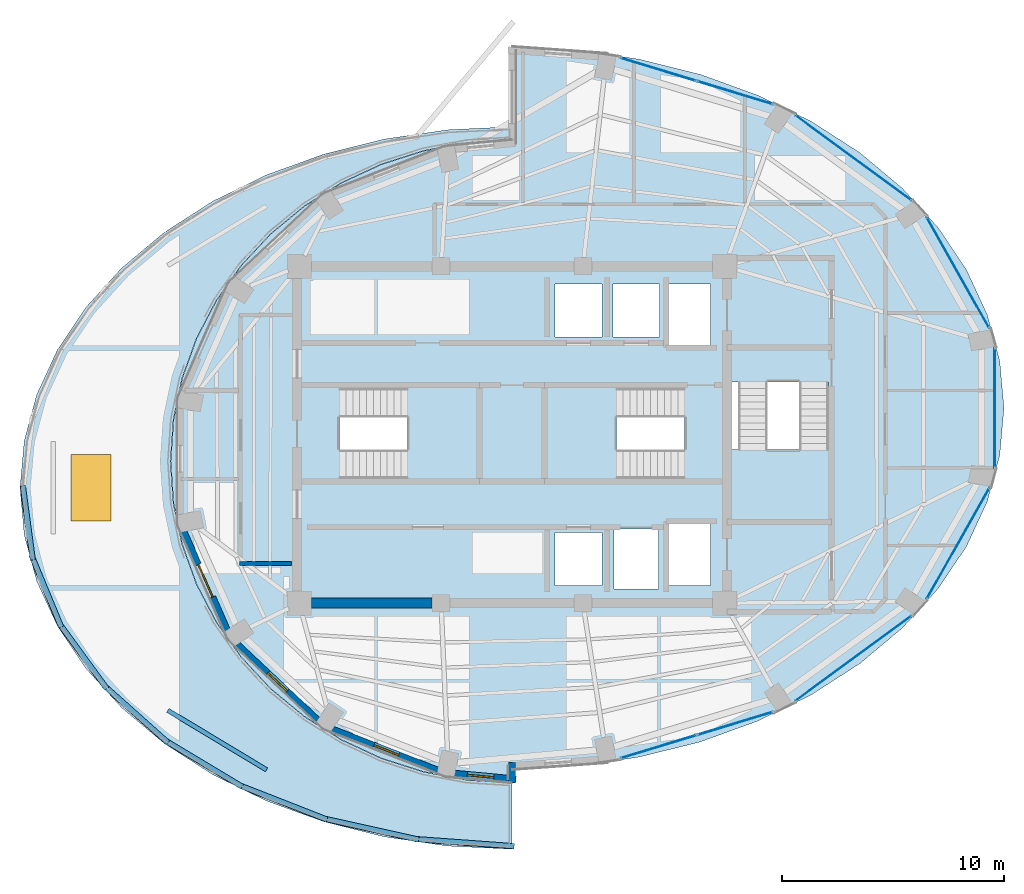
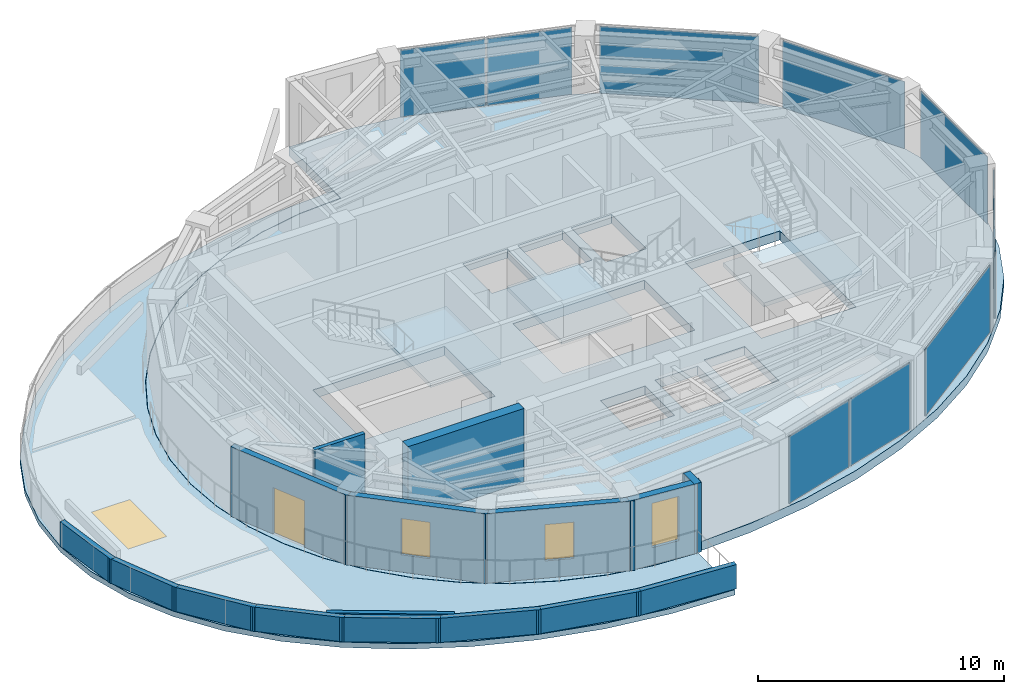
# One storey, part 8 of 15: 16 walls, 9 plates, 5 slabs, 4 windows, 1 door, 5 openings, 10 elements without a shape of their own.
"""IFC4 building model written with IfcOpenShell, lengths in metres."""

from ifc_helpers import new_model, si_unit, direction, frame, frame_2d, origin, origin_2d, place, context, subcontext, project, spatial, polyline, rectangle, outline, extrude, material, layer, layer_set, type_object, element, fill, aggregate, save


model = new_model("IFC4")

# Units and contexts
model_context = context("Model", 3, precision=1e-05, world=origin(), true_north=direction((0.0, 1.0)))
body_context = subcontext(model_context, "Body", "Model", "MODEL_VIEW")
ifc_project = project(units=[si_unit("LENGTHUNIT", "METRE"), si_unit("AREAUNIT", "SQUARE_METRE"), si_unit("VOLUMEUNIT", "CUBIC_METRE"), si_unit("PLANEANGLEUNIT", "RADIAN"), si_unit("MASSUNIT", "GRAM", prefix="KILO")], contexts=[model_context])

# Site, building, storey
site_placement = place(None, origin())
site = spatial("IfcSite", under=ifc_project, at=site_placement, CompositionType="ELEMENT")
building_placement = place(site_placement, origin())
building = spatial("IfcBuilding", under=site, at=building_placement, Name="Lazwardi Medical Tower", CompositionType="ELEMENT")
storey_placement = place(building_placement, frame((0.0, 0.0, 269.615966796875)))
storey = spatial("IfcBuildingStorey", under=building, at=storey_placement, Name="L70", CompositionType="ELEMENT", Elevation=269.615966796875)

# Curtain wall, plates
ifc_material_1 = material(Name="Anodised bronze aluminium and solar control glazing", Category="aluminium")
ifc_layer_1 = layer(ifc_material_1, 0.18994140625)
ifc_layer_set_1 = layer_set([ifc_layer_1], Name="Anodised bronze aluminium and solar control glazing")
curtain_wall_type = type_object("IfcCurtainWallType", Name="CW-SYS-04", PredefinedType="NOTDEFINED", material=ifc_layer_set_1)
curtain_wall_1_placement = place(storey_placement, origin())
curtain_wall_1 = element("IfcCurtainWall", 1, at=curtain_wall_1_placement, inside=storey, type_object=curtain_wall_type, Name="L70 Unitised bronze curtain wall CW-04", PredefinedType="NOTDEFINED")
ifc_material_2 = material(Name="Low-e bronze solar control double glazing", Category="glass")
ifc_layer_2 = layer(ifc_material_2, 0.035888671875)
ifc_layer_set_2 = layer_set([ifc_layer_2], Name="Low-e bronze solar control double glazing")
plate_type = type_object("IfcPlateType", Name="PLT-GLZ-01", PredefinedType="CURTAIN_PANEL", material=ifc_layer_set_2)
plate_1_placement = place(storey_placement, frame((42.604736328125, 13.918701171875, 0.06494140625), z_axis=(0.0, 0.0, 1.0), x_axis=(0.956850126972, 0.290581889515, 0.0)))
plate_1 = element("IfcPlate", 2, at=plate_1_placement, type_object=plate_type, Name="CW-04 panel 1.1", PredefinedType="CURTAIN_PANEL", context=body_context, shape_type="SweptSolid", body=[
    extrude(rectangle(XDim=3.554443359375, YDim=0.035888671875, at=origin_2d()), origin(), (0.0, 0.0, 1.0), 3.318115234375),
])
plate_2_placement = place(storey_placement, frame((46.068115234375, 14.970458984375, 0.06494140625), z_axis=(0.0, 0.0, 1.0), x_axis=(0.956850126972, 0.290581889515, 0.0)))
plate_2 = element("IfcPlate", 3, at=plate_2_placement, type_object=plate_type, Name="CW-04 panel 2.1", PredefinedType="CURTAIN_PANEL", context=body_context, shape_type="SweptSolid", body=[
    extrude(rectangle(XDim=3.554443359375, YDim=0.035888671875, at=origin_2d()), origin(), (0.0, 0.0, 1.0), 3.318115234375),
])
aggregate(curtain_wall_1, [plate_1, plate_2])

# Curtain wall, plate
curtain_wall_2_placement = place(storey_placement, origin())
curtain_wall_2 = element("IfcCurtainWall", 4, at=curtain_wall_2_placement, inside=storey, type_object=curtain_wall_type, Name="L70 Unitised bronze curtain wall CW-04", PredefinedType="NOTDEFINED")
plate_3_placement = place(storey_placement, frame((51.403564453125, 17.90673828125, 0.06494140625), z_axis=(0.0, 0.0, 1.0), x_axis=(0.806474971121, 0.591268230971, 0.0)))
plate_3 = element("IfcPlate", 5, at=plate_3_placement, type_object=plate_type, Name="CW-04 panel 1.1", PredefinedType="CURTAIN_PANEL", context=body_context, shape_type="SweptSolid", body=[
    extrude(rectangle(XDim=6.502685546875, YDim=0.035888671875, at=origin_2d()), origin(), (0.0, 0.0, 1.0), 3.318115234375),
])
aggregate(curtain_wall_2, [plate_3])

curtain_wall_3_placement = place(storey_placement, origin())
curtain_wall_3 = element("IfcCurtainWall", 6, at=curtain_wall_3_placement, inside=storey, type_object=curtain_wall_type, Name="L70 Unitised bronze curtain wall CW-04", PredefinedType="NOTDEFINED")
plate_4_placement = place(storey_placement, frame((56.125732421875, 23.088134765625, 0.06494140625), z_axis=(0.0, 0.0, 1.0), x_axis=(0.491900474661, 0.870651436011, 0.0)))
plate_4 = element("IfcPlate", 7, at=plate_4_placement, type_object=plate_type, Name="CW-04 panel 1.1", PredefinedType="CURTAIN_PANEL", context=body_context, shape_type="SweptSolid", body=[
    extrude(rectangle(XDim=5.755126953125, YDim=0.035888671875, at=origin_2d()), origin(), (0.0, 0.0, 1.0), 3.318115234375),
])
aggregate(curtain_wall_3, [plate_4])

curtain_wall_4_placement = place(storey_placement, origin())
curtain_wall_4 = element("IfcCurtainWall", 8, at=curtain_wall_4_placement, inside=storey, type_object=curtain_wall_type, Name="L70 Unitised bronze curtain wall CW-04", PredefinedType="NOTDEFINED")
plate_5_placement = place(storey_placement, frame((57.7841796875, 29.199951171875, 0.06494140625), z_axis=(0.0, 0.0, 1.0), x_axis=(0.0, 1.0, 0.0)))
plate_5 = element("IfcPlate", 9, at=plate_5_placement, type_object=plate_type, Name="CW-04 panel 1.1", PredefinedType="CURTAIN_PANEL", context=body_context, shape_type="SweptSolid", body=[
    extrude(rectangle(XDim=5.416015625, YDim=0.035888671875, at=origin_2d()), origin(), (0.0, 0.0, 1.0), 3.318115234375),
])
aggregate(curtain_wall_4, [plate_5])

curtain_wall_5_placement = place(storey_placement, origin())
curtain_wall_5 = element("IfcCurtainWall", 10, at=curtain_wall_5_placement, inside=storey, type_object=curtain_wall_type, Name="L70 Unitised bronze curtain wall CW-04", PredefinedType="NOTDEFINED")
plate_6_placement = place(storey_placement, frame((56.125732421875, 35.311767578125, 0.06494140625), z_axis=(0.0, 0.0, 1.0), x_axis=(-0.491900474661, 0.870651436011, 0.0)))
plate_6 = element("IfcPlate", 11, at=plate_6_placement, type_object=plate_type, Name="CW-04 panel 1.1", PredefinedType="CURTAIN_PANEL", context=body_context, shape_type="SweptSolid", body=[
    extrude(rectangle(XDim=5.755126953125, YDim=0.035888671875, at=origin_2d()), origin(), (0.0, 0.0, 1.0), 3.318115234375),
])
aggregate(curtain_wall_5, [plate_6])

curtain_wall_6_placement = place(storey_placement, origin())
curtain_wall_6 = element("IfcCurtainWall", 12, at=curtain_wall_6_placement, inside=storey, type_object=curtain_wall_type, Name="L70 Unitised bronze curtain wall CW-04", PredefinedType="NOTDEFINED")
plate_7_placement = place(storey_placement, frame((51.403564453125, 40.4931640625, 0.06494140625), z_axis=(0.0, 0.0, 1.0), x_axis=(-0.806474971121, 0.591268230971, 0.0)))
plate_7 = element("IfcPlate", 13, at=plate_7_placement, type_object=plate_type, Name="CW-04 panel 1.1", PredefinedType="CURTAIN_PANEL", context=body_context, shape_type="SweptSolid", body=[
    extrude(rectangle(XDim=6.502685546875, YDim=0.035888671875, at=origin_2d()), origin(), (0.0, 0.0, 1.0), 3.318115234375),
])
aggregate(curtain_wall_6, [plate_7])

# Curtain wall, plates
curtain_wall_7_placement = place(storey_placement, origin())
curtain_wall_7 = element("IfcCurtainWall", 14, at=curtain_wall_7_placement, inside=storey, type_object=curtain_wall_type, Name="L70 Unitised bronze curtain wall CW-04", PredefinedType="NOTDEFINED")
plate_8_placement = place(storey_placement, frame((46.068115234375, 43.429443359375, 0.06494140625), z_axis=(0.0, 0.0, 1.0), x_axis=(-0.956850126972, 0.290581889515, 0.0)))
plate_8 = element("IfcPlate", 15, at=plate_8_placement, type_object=plate_type, Name="CW-04 panel 1.1", PredefinedType="CURTAIN_PANEL", context=body_context, shape_type="SweptSolid", body=[
    extrude(rectangle(XDim=3.554443359375, YDim=0.035888671875, at=origin_2d()), origin(), (0.0, 0.0, 1.0), 3.318115234375),
])
plate_9_placement = place(storey_placement, frame((42.604736328125, 44.481201171875, 0.06494140625), z_axis=(0.0, 0.0, 1.0), x_axis=(-0.956850126972, 0.290581889515, 0.0)))
plate_9 = element("IfcPlate", 16, at=plate_9_placement, type_object=plate_type, Name="CW-04 panel 2.1", PredefinedType="CURTAIN_PANEL", context=body_context, shape_type="SweptSolid", body=[
    extrude(rectangle(XDim=3.554443359375, YDim=0.035888671875, at=origin_2d()), origin(), (0.0, 0.0, 1.0), 3.318115234375),
])
aggregate(curtain_wall_7, [plate_8, plate_9])

# Stair, slab
ifc_material_3 = material(Name="Concrete C45/55", Category="concrete")
stair_type = type_object("IfcStairType", Name="STR-WRD", PredefinedType="HALF_TURN_STAIR", material=ifc_material_3)
stair_1_placement = place(storey_placement, origin())
stair_1 = element("IfcStair", 17, at=stair_1_placement, inside=storey, type_object=stair_type, Name="L70 Protected Exit Stair ST1", PredefinedType="HALF_TURN_STAIR")
ifc_layer_3 = layer(ifc_material_3, 0.199951171875)
ifc_layer_set_3 = layer_set([ifc_layer_3], Name="Concrete C45/55")
slab_type_1 = type_object("IfcSlabType", Name="SLB-LND-190", PredefinedType="LANDING", material=ifc_layer_set_3)
slab_1_placement = place(storey_placement, frame((0.0, 0.0, 1.6240234375)))
slab_1 = element("IfcSlab", 18, at=slab_1_placement, type_object=slab_type_1, Name="ST1 landing 1", PredefinedType="LANDING", context=body_context, shape_type="SweptSolid", body=[
    extrude(outline(polyline([(31.27490234375, 25.840087890625), (34.580078125, 25.840087890625), (34.580078125, 30.280029296875), (31.27490234375, 30.280029296875), (31.27490234375, 25.840087890625)])), origin(), (0.0, 0.0, 1.0), 0.199951171875),
])
aggregate(stair_1, [slab_1])

stair_2_placement = place(storey_placement, origin())
stair_2 = element("IfcStair", 19, at=stair_2_placement, inside=storey, type_object=stair_type, Name="L70 Protected Exit Stair ST2", PredefinedType="HALF_TURN_STAIR")
slab_2_placement = place(storey_placement, frame((0.0, 0.0, 1.6240234375)))
slab_2 = element("IfcSlab", 20, at=slab_2_placement, type_object=slab_type_1, Name="ST2 landing 1", PredefinedType="LANDING", context=body_context, shape_type="SweptSolid", body=[
    extrude(outline(polyline([(40.72509765625, 30.280029296875), (37.419921875, 30.280029296875), (37.419921875, 25.840087890625), (40.72509765625, 25.840087890625), (40.72509765625, 30.280029296875)])), origin(), (0.0, 0.0, 1.0), 0.199951171875),
])
aggregate(stair_2, [slab_2])

stair_3_placement = place(storey_placement, origin())
stair_3 = element("IfcStair", 21, at=stair_3_placement, inside=storey, type_object=stair_type, Name="L70 Protected Exit Stair ST3", PredefinedType="HALF_TURN_STAIR")
slab_3_placement = place(storey_placement, frame((0.0, 0.0, 1.6240234375)))
slab_3 = element("IfcSlab", 22, at=slab_3_placement, type_object=slab_type_1, Name="ST3 landing 1", PredefinedType="LANDING", context=body_context, shape_type="SweptSolid", body=[
    extrude(outline(polyline([(45.860107421875, 27.324951171875), (45.860107421875, 24.02001953125), (50.4599609375, 24.02001953125), (50.4599609375, 27.324951171875), (45.860107421875, 27.324951171875)])), origin(), (0.0, 0.0, 1.0), 0.199951171875),
])
aggregate(stair_3, [slab_3])

# Slab
ifc_material_4 = material(Name="Concrete C60/75", Category="concrete")
ifc_layer_4 = layer(ifc_material_4, 0.449951171875)
ifc_layer_set_4 = layer_set([ifc_layer_4], Name="Concrete C60/75")
slab_type_2 = type_object("IfcSlabType", Name="SLB-TRN-450", PredefinedType="FLOOR", material=ifc_layer_set_4)
slab_4_placement = place(storey_placement, frame((0.0, 0.0, -0.449951171875)))
element("IfcSlab", 23, at=slab_4_placement, inside=storey, type_object=slab_type_2, Name="Structural floor slab SF-02 L70", PredefinedType="FLOOR", context=body_context, shape_type="SweptSolid", body=[
    extrude(outline(polyline([(23.782470703125, 17.972900390625), (25.110595703125, 16.547119140625), (26.625, 15.29638671875), (28.300048828125, 14.24267578125), (30.106689453125, 13.40380859375), (32.01416015625, 12.794189453125), (33.989990234375, 12.424072265625), (36.0, 12.300048828125), (36.0, 12.89990234375), (38.897705078125, 13.039306640625), (41.745849609375, 13.455322265625), (44.49560546875, 14.140869140625), (47.10009765625, 15.083740234375), (49.514404296875, 16.268310546875), (51.69775390625, 17.67431640625), (53.6123046875, 19.277099609375), (55.225830078125, 21.050048828125), (56.510009765625, 22.96240234375), (57.443603515625, 24.981201171875), (58.010009765625, 27.072509765625), (58.199951171875, 29.199951171875), (58.010009765625, 31.32763671875), (57.443603515625, 33.418701171875), (56.510009765625, 35.437744140625), (55.225830078125, 37.35009765625), (53.6123046875, 39.122802734375), (51.69775390625, 40.725830078125), (49.514404296875, 42.131591796875), (47.10009765625, 43.316162109375), (44.49560546875, 44.25927734375), (41.745849609375, 44.944580078125), (38.897705078125, 45.360595703125), (36.0, 45.5), (36.0, 41.300048828125), (33.989990234375, 41.176025390625), (32.01416015625, 40.805908203125), (30.106689453125, 40.1962890625), (28.300048828125, 39.357421875), (26.625, 38.3037109375), (25.110595703125, 37.052978515625), (23.782470703125, 35.626953125), (22.6630859375, 34.050048828125), (21.772216796875, 32.348876953125), (21.124755859375, 30.552978515625), (20.731689453125, 28.692626953125), (20.60009765625, 26.800048828125), (20.731689453125, 24.907470703125), (21.124755859375, 23.047119140625), (21.772216796875, 21.251220703125), (22.6630859375, 19.550048828125), (23.782470703125, 17.972900390625)]), holes=[polyline([(28.22509765625, 26.02001953125), (28.22509765625, 30.10009765625), (34.39990234375, 30.10009765625), (34.39990234375, 26.02001953125), (28.22509765625, 26.02001953125)]), polyline([(37.60009765625, 30.10009765625), (43.77490234375, 30.10009765625), (43.77490234375, 26.02001953125), (37.60009765625, 26.02001953125), (37.60009765625, 30.10009765625)]), polyline([(50.280029296875, 30.375), (50.280029296875, 24.179931640625), (45.840087890625, 24.179931640625), (45.840087890625, 30.375), (50.280029296875, 30.375)]), polyline([(40.050048828125, 32.39990234375), (37.949951171875, 32.39990234375), (37.949951171875, 34.800048828125), (40.050048828125, 34.800048828125), (40.050048828125, 32.39990234375)]), polyline([(40.550048828125, 32.39990234375), (40.550048828125, 34.800048828125), (42.64990234375, 34.800048828125), (42.64990234375, 32.39990234375), (40.550048828125, 32.39990234375)]), polyline([(37.949951171875, 23.60009765625), (40.050048828125, 23.60009765625), (40.050048828125, 21.199951171875), (37.949951171875, 21.199951171875), (37.949951171875, 23.60009765625)]), polyline([(44.949951171875, 34.800048828125), (44.949951171875, 32.0), (43.050048828125, 32.0), (43.050048828125, 34.800048828125), (44.949951171875, 34.800048828125)]), polyline([(44.949951171875, 21.199951171875), (43.050048828125, 21.199951171875), (43.050048828125, 24.0), (44.949951171875, 24.0), (44.949951171875, 21.199951171875)]), polyline([(40.60009765625, 21.050048828125), (40.60009765625, 23.75), (42.60009765625, 23.75), (42.60009765625, 21.050048828125), (40.60009765625, 21.050048828125)])]), origin(), (0.0, 0.0, 1.0), 0.449951171875),
])

# Slab, opening, window
ifc_material_5 = material(Name="Concrete C50/60", Category="concrete")
ifc_layer_5 = layer(ifc_material_5, 0.27001953125)
ifc_layer_set_5 = layer_set([ifc_layer_5], Name="Concrete C50/60")
slab_type_3 = type_object("IfcSlabType", Name="SLB-WROOF-270", PredefinedType="ROOF", material=ifc_layer_set_5)
slab_5_placement = place(storey_placement, frame((0.0, 0.0, -0.27001953125)))
slab_5 = element("IfcSlab", 24, at=slab_5_placement, inside=storey, type_object=slab_type_3, Name="L70 West Half-Drum Planted Roof Terrace Slab", PredefinedType="ROOF", context=body_context, shape_type="SweptSolid", body=[
    extrude(outline(polyline([(36.0, 12.2900390625), (35.99951171875, 12.2900390625), (33.9892578125, 12.4140625), (33.988037109375, 12.414306640625), (32.012451171875, 12.7841796875), (32.01123046875, 12.78466796875), (30.103759765625, 13.394287109375), (30.1025390625, 13.39453125), (28.2958984375, 14.2333984375), (28.294677734375, 14.234130859375), (26.619873046875, 15.287841796875), (26.61865234375, 15.288818359375), (25.104248046875, 16.539306640625), (25.103271484375, 16.540283203125), (23.775146484375, 17.96630859375), (23.774169921875, 17.96728515625), (22.655029296875, 19.544189453125), (22.654296875, 19.54541015625), (21.763427734375, 21.24658203125), (21.762939453125, 21.247802734375), (21.115234375, 23.043701171875), (21.114990234375, 23.044921875), (20.721923828125, 24.9052734375), (20.7216796875, 24.90673828125), (20.590087890625, 26.79931640625), (20.590087890625, 26.80078125), (20.7216796875, 28.693359375), (20.721923828125, 28.694580078125), (21.114990234375, 30.554931640625), (21.115234375, 30.556396484375), (21.762939453125, 32.352294921875), (21.763427734375, 32.353515625), (22.654296875, 34.0546875), (22.655029296875, 34.055908203125), (23.774169921875, 35.6328125), (23.775146484375, 35.6337890625), (25.103271484375, 37.059814453125), (25.104248046875, 37.060791015625), (26.61865234375, 38.311279296875), (26.619873046875, 38.31201171875), (28.294677734375, 39.365966796875), (28.2958984375, 39.366455078125), (30.1025390625, 40.205322265625), (30.103759765625, 40.205810546875), (32.01123046875, 40.8154296875), (32.012451171875, 40.815673828125), (33.988037109375, 41.185791015625), (33.9892578125, 41.18603515625), (35.989990234375, 41.309326171875), (35.989990234375, 41.8994140625), (33.102294921875, 41.760498046875), (30.254150390625, 41.344482421875), (27.50439453125, 40.6591796875), (24.89990234375, 39.71630859375), (22.485595703125, 38.53173828125), (20.30224609375, 37.125732421875), (18.3876953125, 35.522705078125), (16.774169921875, 33.75), (15.489990234375, 31.837646484375), (14.556396484375, 29.81884765625), (13.989990234375, 27.7275390625), (13.800048828125, 25.60009765625), (13.989990234375, 23.472412109375), (14.556396484375, 21.381103515625), (15.489990234375, 19.3623046875), (16.774169921875, 17.449951171875), (18.3876953125, 15.67724609375), (20.30224609375, 14.07421875), (22.485595703125, 12.668212890625), (24.89990234375, 11.48388671875), (27.50439453125, 10.540771484375), (30.254150390625, 9.85546875), (33.102294921875, 9.439453125), (36.0, 9.300048828125), (36.0, 12.2900390625)])), origin(), (0.0, 0.0, 1.0), 0.27001953125),
])
opening_1_placement = place(slab_5_placement, frame((17.0, 25.60009765625, 0.0)))
opening_1 = element("IfcOpeningElement", 25, at=opening_1_placement, cuts=slab_5, Name="Opening SK-02", PredefinedType="OPENING", context=body_context, shape_type="SweptSolid", body=[
    extrude(rectangle(XDim=1.800048828125, YDim=3.0, at=origin_2d()), origin(), (0.0, 0.0, 1.0), 0.27001953125),
])
ifc_material_6 = material(Name="Laminated solar-control safety skylight glazing", Category="glass")
window_type_1 = type_object("IfcWindowType", Name="WIN-SKY-1800", PartitioningType="SINGLE_PANEL", PredefinedType="SKYLIGHT", material=ifc_material_6)
window_1_placement = place(opening_1_placement, frame((0.0, 0.0, 0.219970703125)))
window_1 = element("IfcWindow", 26, at=window_1_placement, inside=storey, type_object=window_type_1, Name="L70 West Terrace Skylight SK-02-2", OverallHeight=3.0, OverallWidth=1.800048828125, PartitioningType="SINGLE_PANEL", PredefinedType="SKYLIGHT", context=body_context, shape_type="SweptSolid", body=[
    extrude(rectangle(XDim=1.800048828125, YDim=3.0, at=origin_2d()), origin(), (0.0, 0.0, 1.0), 0.050048828125),
])
fill(opening_1, window_1)

# Walls
ifc_material_7 = material(Name="Fire-rated gypsum board on steel stud", Category="steel")
ifc_layer_6 = layer(ifc_material_7, 0.179931640625)
ifc_layer_set_6 = layer_set([ifc_layer_6], Name="Fire-rated gypsum board on steel stud")
wall_type_1 = type_object("IfcWallType", Name="WL-COR-180", PredefinedType="PARTITIONING", material=ifc_layer_set_6)
wall_1_placement = place(storey_placement, frame((26.06005859375, 22.199951171875, 0.0), z_axis=(0.0, 0.0, 1.0), x_axis=(-1.0, 0.0, 0.0)))
element("IfcWall", 27, at=wall_1_placement, inside=storey, type_object=wall_type_1, Name="L70 Corridor partition 7", PredefinedType="PARTITIONING", context=body_context, shape_type="SweptSolid", body=[
    extrude(rectangle(XDim=2.35009765625, YDim=0.179931640625, at=frame_2d((1.175048828125, 0.0))), origin(), (0.0, 0.0, 1.0), 3.447998046875),
])
ifc_layer_7 = layer(ifc_material_4, 0.449951171875)
ifc_layer_set_7 = layer_set([ifc_layer_7], Name="Concrete C60/75")
wall_type_2 = type_object("IfcWallType", Name="WL-CORE-450", PredefinedType="SHEAR", material=ifc_layer_set_7)
wall_2_placement = place(storey_placement, frame((26.949951171875, 20.39990234375, 0.0), z_axis=(0.0, 0.0, 1.0), x_axis=(1.0, 0.0, 0.0)))
element("IfcWall", 28, at=wall_2_placement, inside=storey, type_object=wall_type_2, Name="Core wall CW-S4 S1 L70", PredefinedType="SHEAR", context=body_context, shape_type="SweptSolid", body=[
    extrude(rectangle(XDim=5.449951171875, YDim=0.449951171875, at=frame_2d((2.72509765625, 0.0))), origin(), (0.0, 0.0, 1.0), 3.64794921875),
])

# Wall, opening, door
ifc_material_8 = material(Name="Precast concrete C45/55", Category="concrete")
ifc_layer_8 = layer(ifc_material_8, 0.280029296875)
ifc_layer_set_8 = layer_set([ifc_layer_8], Name="Precast concrete C45/55")
wall_type_3 = type_object("IfcWallType", Name="WL-DRUM-280", PredefinedType="SOLIDWALL", material=ifc_layer_set_8)
wall_3_placement = place(storey_placement, frame((20.992919921875, 24.090087890625, 0.0), z_axis=(0.0, 0.0, 1.0), x_axis=(0.402867150469, -0.91525846572, 0.0)))
wall_3 = element("IfcWall", 29, at=wall_3_placement, inside=storey, type_object=wall_type_3, Name="L70 West Drum Precast Wall 5", PredefinedType="SOLIDWALL", context=body_context, shape_type="SweptSolid", body=[
    extrude(rectangle(XDim=5.85595703125, YDim=0.280029296875, at=frame_2d((2.927978515625, 0.0))), origin(), (0.0, 0.0, 1.0), 3.447998046875),
])
opening_2_placement = place(wall_3_placement, frame((2.1279296875, 0.0, 0.0)))
opening_2 = element("IfcOpeningElement", 30, at=opening_2_placement, cuts=wall_3, Name="Opening D-L70-021", PredefinedType="OPENING", context=body_context, shape_type="SweptSolid", body=[
    extrude(rectangle(XDim=1.60009765625, YDim=2.300048828125, at=frame_2d((0.800048828125, 1.14990234375))), frame((0.0, 0.14990234375, 0.0), z_axis=(0.0, -1.0, 0.0), x_axis=(1.0, 0.0, 0.0)), (0.0, 0.0, 1.0), 0.300048828125),
])
ifc_material_9 = material(Name="Anodised bronze aluminium and laminated glass", Category="aluminium")
door_type = type_object("IfcDoorType", Name="DR-SKG-1600", OperationType="NOTDEFINED", PredefinedType="DOOR", material=ifc_material_9)
door_placement = place(opening_2_placement, origin())
door = element("IfcDoor", 31, at=door_placement, inside=storey, type_object=door_type, Name="L70 West Roof Garden Terrace Door 4", OperationType="DOUBLE_DOOR_SINGLE_SWING", OverallHeight=2.300048828125, OverallWidth=1.60009765625, PredefinedType="DOOR", context=body_context, shape_type="SweptSolid", body=[
    extrude(rectangle(XDim=1.60009765625, YDim=2.300048828125, at=frame_2d((0.800048828125, 1.14990234375))), frame((0.0, 0.02490234375, 0.0), z_axis=(0.0, -1.0, 0.0), x_axis=(1.0, 0.0, 0.0)), (0.0, 0.0, 1.0), 0.050048828125),
])
fill(opening_2, door)

# Wall, opening, window
wall_4_placement = place(storey_placement, frame((23.239013671875, 18.890380859375, 0.0), z_axis=(0.0, 0.0, 1.0), x_axis=(0.728251519923, -0.685309947199, 0.0)))
wall_4 = element("IfcWall", 32, at=wall_4_placement, inside=storey, type_object=wall_type_3, Name="L70 West Drum Precast Wall 6", PredefinedType="SOLIDWALL", context=body_context, shape_type="SweptSolid", body=[
    extrude(rectangle(XDim=5.98095703125, YDim=0.280029296875, at=frame_2d((2.990478515625, 0.0))), origin(), (0.0, 0.0, 1.0), 3.447998046875),
])
opening_3_placement = place(wall_4_placement, frame((2.390625, 0.0, 0.85009765625)))
opening_3 = element("IfcOpeningElement", 33, at=opening_3_placement, cuts=wall_4, Name="Opening WN-04", PredefinedType="OPENING", context=body_context, shape_type="SweptSolid", body=[
    extrude(rectangle(XDim=1.199951171875, YDim=1.800048828125, at=frame_2d((0.60009765625, 0.89990234375))), frame((0.0, 0.14990234375, 0.0), z_axis=(0.0, -1.0, 0.0), x_axis=(1.0, 0.0, 0.0)), (0.0, 0.0, 1.0), 0.300048828125),
])
window_type_2 = type_object("IfcWindowType", Name="WIN-DRUM-1200", PartitioningType="SINGLE_PANEL", PredefinedType="WINDOW", material=ifc_material_2)
window_2_placement = place(opening_3_placement, origin())
window_2 = element("IfcWindow", 34, at=window_2_placement, inside=storey, type_object=window_type_2, Name="L70 West Drum Window 6", OverallHeight=1.800048828125, OverallWidth=1.199951171875, PartitioningType="SINGLE_PANEL", PredefinedType="WINDOW", context=body_context, shape_type="SweptSolid", body=[
    extrude(rectangle(XDim=1.199951171875, YDim=1.800048828125, at=frame_2d((0.60009765625, 0.89990234375))), frame((0.0, 0.030029296875, 0.0), z_axis=(0.0, -1.0, 0.0), x_axis=(1.0, 0.0, 0.0)), (0.0, 0.0, 1.0), 0.06005859375),
])
fill(opening_3, window_2)

wall_5_placement = place(storey_placement, frame((27.4287109375, 14.896484375, 0.0), z_axis=(0.0, 0.0, 1.0), x_axis=(0.931716550814, -0.36318627306, 0.0)))
wall_5 = element("IfcWall", 35, at=wall_5_placement, inside=storey, type_object=wall_type_3, Name="L70 West Drum Precast Wall 7", PredefinedType="SOLIDWALL", context=body_context, shape_type="SweptSolid", body=[
    extrude(rectangle(XDim=6.22412109375, YDim=0.280029296875, at=frame_2d((3.112060546875, 0.0))), origin(), (0.0, 0.0, 1.0), 3.447998046875),
])
opening_4_placement = place(wall_5_placement, frame((2.511962890625, 0.0, 0.85009765625)))
opening_4 = element("IfcOpeningElement", 36, at=opening_4_placement, cuts=wall_5, Name="Opening WN-04", PredefinedType="OPENING", context=body_context, shape_type="SweptSolid", body=[
    extrude(rectangle(XDim=1.199951171875, YDim=1.800048828125, at=frame_2d((0.60009765625, 0.89990234375))), frame((0.0, 0.14990234375, 0.0), z_axis=(0.0, -1.0, 0.0), x_axis=(1.0, 0.0, 0.0)), (0.0, 0.0, 1.0), 0.300048828125),
])
window_3_placement = place(opening_4_placement, origin())
window_3 = element("IfcWindow", 37, at=window_3_placement, inside=storey, type_object=window_type_2, Name="L70 West Drum Window 7", OverallHeight=1.800048828125, OverallWidth=1.199951171875, PartitioningType="SINGLE_PANEL", PredefinedType="WINDOW", context=body_context, shape_type="SweptSolid", body=[
    extrude(rectangle(XDim=1.199951171875, YDim=1.800048828125, at=frame_2d((0.60009765625, 0.89990234375))), frame((0.0, 0.030029296875, 0.0), z_axis=(0.0, -1.0, 0.0), x_axis=(1.0, 0.0, 0.0)), (0.0, 0.0, 1.0), 0.06005859375),
])
fill(opening_4, window_3)

ifc_layer_9 = layer(ifc_material_8, 0.320068359375)
ifc_layer_set_9 = layer_set([ifc_layer_9], Name="Precast concrete C45/55")
wall_type_4 = type_object("IfcWallType", Name="WL-IWAN-320", PredefinedType="SOLIDWALL", material=ifc_layer_set_9)
wall_6_placement = place(storey_placement, frame((32.97705078125, 12.739990234375, 0.0), z_axis=(0.0, 0.0, 1.0), x_axis=(0.995736155144, -0.092247001792, 0.0)))
wall_6 = element("IfcWall", 38, at=wall_6_placement, inside=storey, type_object=wall_type_4, Name="L70 Iwan Portal Return Wall SW_ret", PredefinedType="SOLIDWALL", context=body_context, shape_type="SweptSolid", body=[
    extrude(rectangle(XDim=3.215576171875, YDim=0.320068359375, at=frame_2d((1.60791015625, 0.0))), origin(), (0.0, 0.0, 1.0), 3.447998046875),
])
opening_5_placement = place(wall_6_placement, frame((1.0078125, 0.0, 0.85009765625)))
opening_5 = element("IfcOpeningElement", 39, at=opening_5_placement, cuts=wall_6, Name="Opening WN-01", PredefinedType="OPENING", context=body_context, shape_type="SweptSolid", body=[
    extrude(rectangle(XDim=1.199951171875, YDim=2.199951171875, at=frame_2d((0.60009765625, 1.10009765625))), frame((0.0, 0.169921875, 0.0), z_axis=(0.0, -1.0, 0.0), x_axis=(1.0, 0.0, 0.0)), (0.0, 0.0, 1.0), 0.340087890625),
])
window_type_3 = type_object("IfcWindowType", Name="WIN-IW-1200", PartitioningType="SINGLE_PANEL", PredefinedType="WINDOW", material=ifc_material_2)
window_4_placement = place(opening_5_placement, origin())
window_4 = element("IfcWindow", 40, at=window_4_placement, inside=storey, type_object=window_type_3, Name="L70 Iwan Slot Window SW_ret", OverallHeight=2.199951171875, OverallWidth=1.199951171875, PartitioningType="SINGLE_PANEL", PredefinedType="WINDOW", context=body_context, shape_type="SweptSolid", body=[
    extrude(rectangle(XDim=1.199951171875, YDim=2.199951171875, at=frame_2d((0.60009765625, 1.10009765625))), frame((0.0, 0.030029296875, 0.0), z_axis=(0.0, -1.0, 0.0), x_axis=(1.0, 0.0, 0.0)), (0.0, 0.0, 1.0), 0.06005859375),
])
fill(opening_5, window_4)

# Walls
wall_7_placement = place(storey_placement, frame((36.0, 12.300048828125, 0.0), z_axis=(0.0, 0.0, 1.0), x_axis=(0.0, 1.0, 0.0)))
element("IfcWall", 41, at=wall_7_placement, inside=storey, type_object=wall_type_4, Name="L70 Turquoise Tilework Iwan Seam Wall S_seam", PredefinedType="SOLIDWALL", context=body_context, shape_type="SweptSolid", body=[
    extrude(rectangle(XDim=0.919921875, YDim=0.320068359375, at=frame_2d((0.4599609375, 0.0))), origin(), (0.0, 0.0, 1.0), 3.447998046875),
])
ifc_layer_10 = layer(ifc_material_8, 0.239990234375)
ifc_layer_set_10 = layer_set([ifc_layer_10], Name="Precast concrete C45/55")
wall_type_5 = type_object("IfcWallType", Name="WL-PAR-240", PredefinedType="PARAPET", material=ifc_layer_set_10)
wall_8_placement = place(storey_placement, frame((13.9267578125, 25.69921875, 0.0), z_axis=(0.0, 0.0, 1.0), x_axis=(0.133218343704, -0.991086713109, 0.0)))
element("IfcWall", 42, at=wall_8_placement, inside=storey, type_object=wall_type_5, Name="L70 West Terrace Parapet 09", PredefinedType="PARAPET", context=body_context, shape_type="SweptSolid", body=[
    extrude(rectangle(XDim=3.381103515625, YDim=0.239990234375, at=frame_2d((1.6904296875, 0.0))), origin(), (0.0, 0.0, 1.0), 1.199951171875),
])
wall_9_placement = place(storey_placement, frame((14.32568359375, 22.539794921875, 0.0), z_axis=(0.0, 0.0, 1.0), x_axis=(0.382572716931, -0.923925384574, 0.0)))
element("IfcWall", 43, at=wall_9_placement, inside=storey, type_object=wall_type_5, Name="L70 West Terrace Parapet 10", PredefinedType="PARAPET", context=body_context, shape_type="SweptSolid", body=[
    extrude(rectangle(XDim=3.481201171875, YDim=0.239990234375, at=frame_2d((1.74072265625, 0.0))), origin(), (0.0, 0.0, 1.0), 1.199951171875),
])
wall_10_placement = place(storey_placement, frame((15.560302734375, 19.49658203125, 0.0), z_axis=(0.0, 0.0, 1.0), x_axis=(0.589452593438, -0.807802971082, 0.0)))
element("IfcWall", 44, at=wall_10_placement, inside=storey, type_object=wall_type_5, Name="L70 West Terrace Parapet 11", PredefinedType="PARAPET", context=body_context, shape_type="SweptSolid", body=[
    extrude(rectangle(XDim=3.658447265625, YDim=0.239990234375, at=frame_2d((1.8291015625, 0.0))), origin(), (0.0, 0.0, 1.0), 1.199951171875),
])
wall_11_placement = place(storey_placement, frame((17.583251953125, 16.688720703125, 0.0), z_axis=(0.0, 0.0, 1.0), x_axis=(0.746018095031, -0.665925672944, 0.0)))
element("IfcWall", 45, at=wall_11_placement, inside=storey, type_object=wall_type_5, Name="L70 West Terrace Parapet 12", PredefinedType="PARAPET", context=body_context, shape_type="SweptSolid", body=[
    extrude(rectangle(XDim=3.87744140625, YDim=0.239990234375, at=frame_2d((1.938720703125, 0.0))), origin(), (0.0, 0.0, 1.0), 1.199951171875),
])
wall_12_placement = place(storey_placement, frame((20.3154296875, 14.224609375, 0.0), z_axis=(0.0, 0.0, 1.0), x_axis=(0.857072360175, -0.515196049503, 0.0)))
element("IfcWall", 46, at=wall_12_placement, inside=storey, type_object=wall_type_5, Name="L70 West Terrace Parapet 13", PredefinedType="PARAPET", context=body_context, shape_type="SweptSolid", body=[
    extrude(rectangle(XDim=4.1005859375, YDim=0.239990234375, at=frame_2d((2.05029296875, 0.0))), origin(), (0.0, 0.0, 1.0), 1.199951171875),
])
wall_13_placement = place(storey_placement, frame((23.65087890625, 12.199951171875, 0.0), z_axis=(0.0, 0.0, 1.0), x_axis=(0.931156390878, -0.364620042958, 0.0)))
element("IfcWall", 47, at=wall_13_placement, inside=storey, type_object=wall_type_5, Name="L70 West Terrace Parapet 14", PredefinedType="PARAPET", context=body_context, shape_type="SweptSolid", body=[
    extrude(rectangle(XDim=4.2958984375, YDim=0.239990234375, at=frame_2d((2.14794921875, 0.0))), origin(), (0.0, 0.0, 1.0), 1.199951171875),
])
wall_14_placement = place(storey_placement, frame((27.46044921875, 10.69189453125, 0.0), z_axis=(0.0, 0.0, 1.0), x_axis=(0.976180589622, -0.216959573299, 0.0)))
element("IfcWall", 48, at=wall_14_placement, inside=storey, type_object=wall_type_5, Name="L70 West Terrace Parapet 15", PredefinedType="PARAPET", context=body_context, shape_type="SweptSolid", body=[
    extrude(rectangle(XDim=4.439208984375, YDim=0.239990234375, at=frame_2d((2.2197265625, 0.0))), origin(), (0.0, 0.0, 1.0), 1.199951171875),
])
wall_15_placement = place(storey_placement, frame((31.5966796875, 9.7578125, 0.0), z_axis=(0.0, 0.0, 1.0), x_axis=(0.997406276557, -0.071977215035, 0.0)))
element("IfcWall", 49, at=wall_15_placement, inside=storey, type_object=wall_type_5, Name="L70 West Terrace Parapet 16", PredefinedType="PARAPET", context=body_context, shape_type="SweptSolid", body=[
    extrude(rectangle(XDim=4.5146484375, YDim=0.239990234375, at=frame_2d((2.25732421875, 0.0))), origin(), (0.0, 0.0, 1.0), 1.199951171875),
])
ifc_material_10 = material(Name="Precast concrete C40/50", Category="concrete")
ifc_layer_11 = layer(ifc_material_10, 0.199951171875)
ifc_layer_set_11 = layer_set([ifc_layer_11], Name="Precast concrete C40/50")
wall_type_6 = type_object("IfcWallType", Name="WL-PLN-200", PredefinedType="PARAPET", material=ifc_layer_set_11)
wall_16_placement = place(storey_placement, frame((20.46826171875, 15.56298828125, 0.0), z_axis=(0.0, 0.0, 1.0), x_axis=(0.856671930955, -0.515861611979, 0.0)))
element("IfcWall", 50, at=wall_16_placement, inside=storey, type_object=wall_type_6, Name="L70 West Terrace Planter 3", PredefinedType="PARAPET", context=body_context, shape_type="SweptSolid", body=[
    extrude(rectangle(XDim=5.2021484375, YDim=0.199951171875, at=frame_2d((2.60107421875, 0.0))), origin(), (0.0, 0.0, 1.0), 0.550048828125),
])

save(model, "model.ifc")
